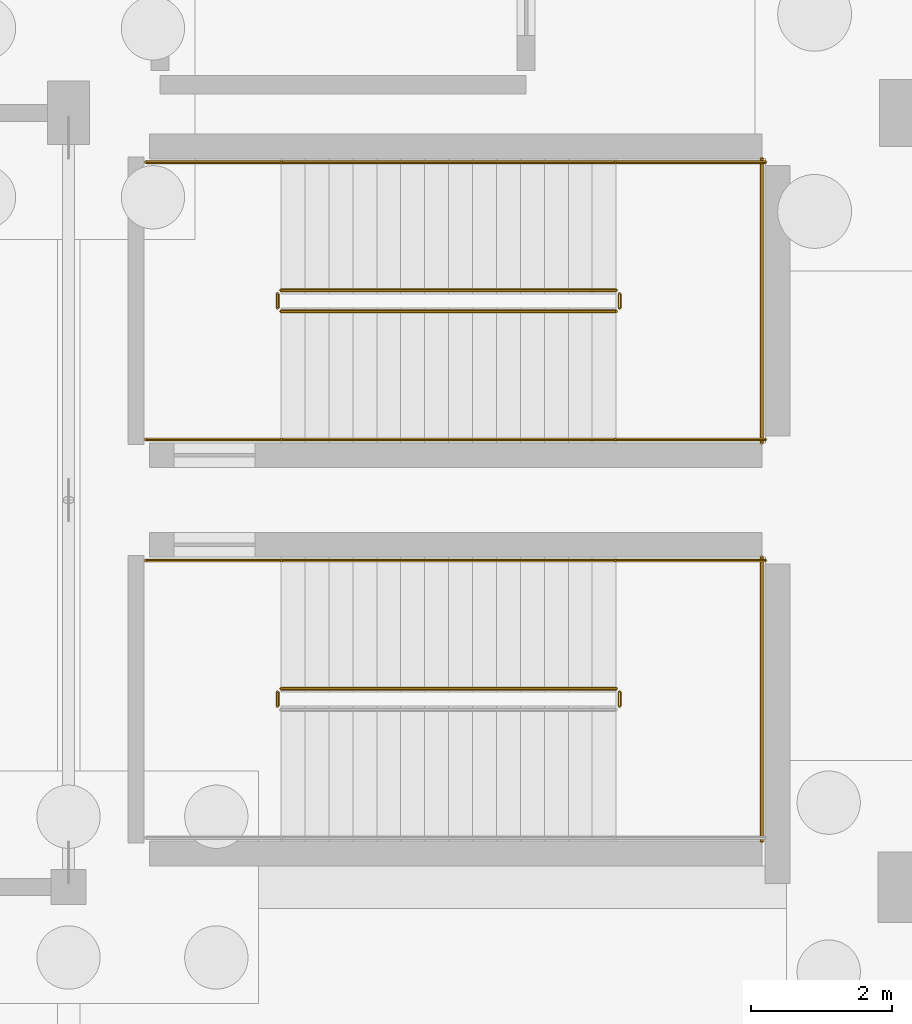
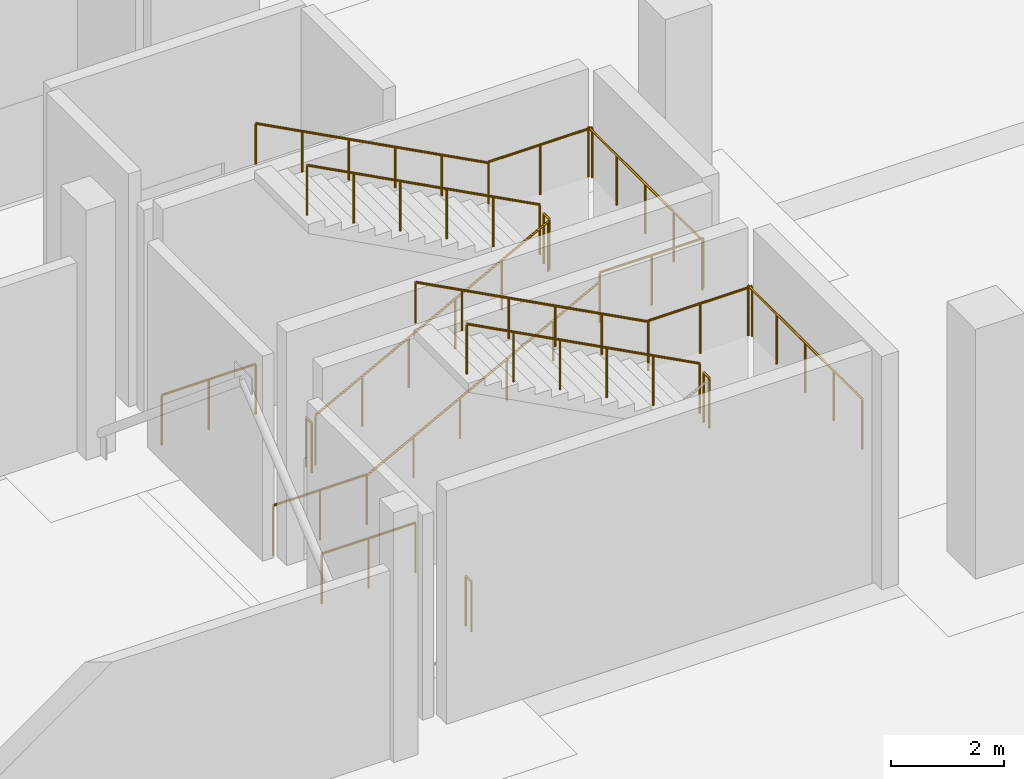
# One storey, part 52 of 60: 18 railings.
"""IFC4 building model written with IfcOpenShell, lengths in metres."""

from ifc_helpers import new_model, si_unit, direction, frame, origin, origin_2d, place, context, subcontext, project, spatial, circle, extrude, material, type_object, element, save


model = new_model("IFC4")

# Units and contexts
model_context = context("Model", 3, precision=1e-05, world=origin(), true_north=direction((0.0, 1.0)))
body_context = subcontext(model_context, "Body", "Model", "MODEL_VIEW")
ifc_project = project(units=[si_unit("LENGTHUNIT", "METRE"), si_unit("AREAUNIT", "SQUARE_METRE"), si_unit("VOLUMEUNIT", "CUBIC_METRE"), si_unit("PLANEANGLEUNIT", "RADIAN"), si_unit("MASSUNIT", "GRAM", prefix="KILO")], contexts=[model_context])

# Site, building, storey
site_placement = place(None, origin())
site = spatial("IfcSite", under=ifc_project, at=site_placement, CompositionType="ELEMENT")
building_placement = place(site_placement, origin())
building = spatial("IfcBuilding", under=site, at=building_placement, Name="Luwafu Chhajja Arena", CompositionType="ELEMENT")
storey_placement = place(building_placement, frame((0.0, 0.0, -5.39990234375)))
storey = spatial("IfcBuildingStorey", under=building, at=storey_placement, Name="B1", CompositionType="ELEMENT", Elevation=-5.39990234375)

# Railings
ifc_material_1 = material(Name="Stainless steel handrail", Category="steel")
railing_type_1 = type_object("IfcRailingType", Name="Stair Pitch Wall Handrail 920", PredefinedType="HANDRAIL", material=ifc_material_1)
railing_1_placement = place(storey_placement, frame((41.780029296875, 81.639892578125, 2.8798828125)))
element("IfcRailing", 1, at=railing_1_placement, inside=storey, type_object=railing_type_1, Name="B1 ST-05 stair handrail 2", PredefinedType="HANDRAIL", context=body_context, shape_type="SweptSolid", body=[
    extrude(circle(Radius=0.02392578125, at=origin_2d()), frame((0.0, 0.0, 0.8759765625), z_axis=(-0.883786813738, 0.0, 0.467889803119), x_axis=(0.0, -1.0, 0.0)), (0.0, 0.0, 1.0), 5.385986328125),
    extrude(circle(Radius=0.02099609375, at=origin_2d()), origin(), (0.0, 0.0, 1.0), 0.851806640625),
    extrude(circle(Radius=0.02099609375, at=origin_2d()), frame((-0.951904296875, 0.0, 0.50390625)), (0.0, 0.0, 1.0), 0.851806640625),
    extrude(circle(Radius=0.02099609375, at=origin_2d()), frame((-1.904052734375, 0.0, 1.008056640625)), (0.0, 0.0, 1.0), 0.851806640625),
    extrude(circle(Radius=0.02099609375, at=origin_2d()), frame((-2.85595703125, 0.0, 1.511962890625)), (0.0, 0.0, 1.0), 0.851806640625),
    extrude(circle(Radius=0.02099609375, at=origin_2d()), frame((-3.80810546875, 0.0, 2.01611328125)), (0.0, 0.0, 1.0), 0.851806640625),
    extrude(circle(Radius=0.02099609375, at=origin_2d()), frame((-4.760009765625, 0.0, 2.52001953125)), (0.0, 0.0, 1.0), 0.851806640625),
])
railing_2_placement = place(storey_placement, frame((37.02001953125, 83.360107421875, 0.179931640625)))
element("IfcRailing", 2, at=railing_2_placement, inside=storey, type_object=railing_type_1, Name="B1 ST-06 stair handrail 1", PredefinedType="HANDRAIL", context=body_context, shape_type="SweptSolid", body=[
    extrude(circle(Radius=0.02392578125, at=origin_2d()), frame((0.0, 0.0, 0.8759765625), z_axis=(0.883786813738, 0.0, 0.467889803119), x_axis=(0.0, 1.0, 0.0)), (0.0, 0.0, 1.0), 5.385986328125),
    extrude(circle(Radius=0.02099609375, at=origin_2d()), origin(), (0.0, 0.0, 1.0), 0.851806640625),
    extrude(circle(Radius=0.02099609375, at=origin_2d()), frame((0.951904296875, 0.0, 0.50390625)), (0.0, 0.0, 1.0), 0.851806640625),
    extrude(circle(Radius=0.02099609375, at=origin_2d()), frame((1.904052734375, 0.0, 1.008056640625)), (0.0, 0.0, 1.0), 0.851806640625),
    extrude(circle(Radius=0.02099609375, at=origin_2d()), frame((2.85595703125, 0.0, 1.511962890625)), (0.0, 0.0, 1.0), 0.851806640625),
    extrude(circle(Radius=0.02099609375, at=origin_2d()), frame((3.80810546875, 0.0, 2.01611328125)), (0.0, 0.0, 1.0), 0.851806640625),
    extrude(circle(Radius=0.02099609375, at=origin_2d()), frame((4.760009765625, 0.0, 2.52001953125)), (0.0, 0.0, 1.0), 0.851806640625),
])
railing_3_placement = place(storey_placement, frame((41.780029296875, 87.300048828125, 2.8798828125)))
element("IfcRailing", 3, at=railing_3_placement, inside=storey, type_object=railing_type_1, Name="B1 ST-06 stair handrail 2", PredefinedType="HANDRAIL", context=body_context, shape_type="SweptSolid", body=[
    extrude(circle(Radius=0.02392578125, at=origin_2d()), frame((0.0, 0.0, 0.8759765625), z_axis=(-0.883786813738, 0.0, 0.467889803119), x_axis=(0.0, -1.0, 0.0)), (0.0, 0.0, 1.0), 5.385986328125),
    extrude(circle(Radius=0.02099609375, at=origin_2d()), origin(), (0.0, 0.0, 1.0), 0.851806640625),
    extrude(circle(Radius=0.02099609375, at=origin_2d()), frame((-0.951904296875, 0.0, 0.50390625)), (0.0, 0.0, 1.0), 0.851806640625),
    extrude(circle(Radius=0.02099609375, at=origin_2d()), frame((-1.904052734375, 0.0, 1.008056640625)), (0.0, 0.0, 1.0), 0.851806640625),
    extrude(circle(Radius=0.02099609375, at=origin_2d()), frame((-2.85595703125, 0.0, 1.511962890625)), (0.0, 0.0, 1.0), 0.851806640625),
    extrude(circle(Radius=0.02099609375, at=origin_2d()), frame((-3.80810546875, 0.0, 2.01611328125)), (0.0, 0.0, 1.0), 0.851806640625),
    extrude(circle(Radius=0.02099609375, at=origin_2d()), frame((-4.760009765625, 0.0, 2.52001953125)), (0.0, 0.0, 1.0), 0.851806640625),
])
ifc_material_2 = material(Name="Stainless steel balustrade", Category="steel")
railing_type_2 = type_object("IfcRailingType", Name="Stair and Terrace Guard Balustrade 1100", PredefinedType="BALUSTRADE", material=ifc_material_2)
railing_4_placement = place(storey_placement, frame((41.830078125, 79.570068359375, 2.699951171875)))
element("IfcRailing", 4, at=railing_4_placement, inside=storey, type_object=railing_type_2, Name="B1 ST-05 stair guard 2", PredefinedType="BALUSTRADE", context=body_context, shape_type="SweptSolid", body=[
    extrude(circle(Radius=0.02392578125, at=origin_2d()), frame((0.0, 0.0, 1.076171875), z_axis=(0.0, 1.0, 0.0), x_axis=(-1.0, 0.0, 0.0)), (0.0, 0.0, 1.0), 0.199951171875),
    extrude(circle(Radius=0.02099609375, at=origin_2d()), origin(), (0.0, 0.0, 1.0), 1.052001953125),
    extrude(circle(Radius=0.02099609375, at=origin_2d()), frame((0.0, 0.199951171875, 0.0)), (0.0, 0.0, 1.0), 1.052001953125),
])
railing_5_placement = place(storey_placement, frame((41.780029296875, 81.639892578125, 2.699951171875)))
element("IfcRailing", 5, at=railing_5_placement, inside=storey, type_object=railing_type_2, Name="B1 ST-05 stair guard 4", PredefinedType="BALUSTRADE", context=body_context, shape_type="SweptSolid", body=[
    extrude(circle(Radius=0.02392578125, at=origin_2d()), frame((0.0, 0.0, 1.076171875), z_axis=(1.0, 0.0, 0.0), x_axis=(0.0, 1.0, 0.0)), (0.0, 0.0, 1.0), 2.119873046875),
    extrude(circle(Radius=0.02099609375, at=origin_2d()), origin(), (0.0, 0.0, 1.0), 1.052001953125),
    extrude(circle(Radius=0.02099609375, at=origin_2d()), frame((1.06005859375, 0.0, 0.0)), (0.0, 0.0, 1.0), 1.052001953125),
    extrude(circle(Radius=0.02099609375, at=origin_2d()), frame((2.119873046875, 0.0, 0.0)), (0.0, 0.0, 1.0), 1.052001953125),
])
railing_6_placement = place(storey_placement, frame((43.85009765625, 77.64990234375, 2.699951171875)))
element("IfcRailing", 6, at=railing_6_placement, inside=storey, type_object=railing_type_2, Name="B1 ST-05 stair guard 5", PredefinedType="BALUSTRADE", context=body_context, shape_type="SweptSolid", body=[
    extrude(circle(Radius=0.02392578125, at=origin_2d()), frame((0.0, 0.0, 1.076171875), z_axis=(0.0, 1.0, 0.0), x_axis=(-1.0, 0.0, 0.0)), (0.0, 0.0, 1.0), 4.0400390625),
    extrude(circle(Radius=0.02099609375, at=origin_2d()), origin(), (0.0, 0.0, 1.0), 1.052001953125),
    extrude(circle(Radius=0.02099609375, at=origin_2d()), frame((0.0, 1.010009765625, 0.0)), (0.0, 0.0, 1.0), 1.052001953125),
    extrude(circle(Radius=0.02099609375, at=origin_2d()), frame((0.0, 2.02001953125, 0.0)), (0.0, 0.0, 1.0), 1.052001953125),
    extrude(circle(Radius=0.02099609375, at=origin_2d()), frame((0.0, 3.030029296875, 0.0)), (0.0, 0.0, 1.0), 1.052001953125),
    extrude(circle(Radius=0.02099609375, at=origin_2d()), frame((0.0, 4.0400390625, 0.0)), (0.0, 0.0, 1.0), 1.052001953125),
])
railing_7_placement = place(storey_placement, frame((41.780029296875, 79.820068359375, 2.8798828125)))
element("IfcRailing", 7, at=railing_7_placement, inside=storey, type_object=railing_type_2, Name="B1 ST-05 stair guard 6", PredefinedType="BALUSTRADE", context=body_context, shape_type="SweptSolid", body=[
    extrude(circle(Radius=0.02392578125, at=origin_2d()), frame((0.0, 0.0, 1.076171875), z_axis=(-0.883786813738, 0.0, 0.467889803119), x_axis=(0.0, -1.0, 0.0)), (0.0, 0.0, 1.0), 5.385986328125),
    extrude(circle(Radius=0.02099609375, at=origin_2d()), origin(), (0.0, 0.0, 1.0), 1.052001953125),
    extrude(circle(Radius=0.02099609375, at=origin_2d()), frame((-0.951904296875, 0.0, 0.50390625)), (0.0, 0.0, 1.0), 1.052001953125),
    extrude(circle(Radius=0.02099609375, at=origin_2d()), frame((-1.904052734375, 0.0, 1.008056640625)), (0.0, 0.0, 1.0), 1.052001953125),
    extrude(circle(Radius=0.02099609375, at=origin_2d()), frame((-2.85595703125, 0.0, 1.511962890625)), (0.0, 0.0, 1.0), 1.052001953125),
    extrude(circle(Radius=0.02099609375, at=origin_2d()), frame((-3.80810546875, 0.0, 2.01611328125)), (0.0, 0.0, 1.0), 1.052001953125),
    extrude(circle(Radius=0.02099609375, at=origin_2d()), frame((-4.760009765625, 0.0, 2.52001953125)), (0.0, 0.0, 1.0), 1.052001953125),
])
railing_8_placement = place(storey_placement, frame((36.969970703125, 79.570068359375, 0.0)))
element("IfcRailing", 8, at=railing_8_placement, inside=storey, type_object=railing_type_2, Name="B1 ST-05 stair guard 7", PredefinedType="BALUSTRADE", context=body_context, shape_type="SweptSolid", body=[
    extrude(circle(Radius=0.02392578125, at=origin_2d()), frame((0.0, 0.0, 1.076171875), z_axis=(0.0, 1.0, 0.0), x_axis=(-1.0, 0.0, 0.0)), (0.0, 0.0, 1.0), 0.199951171875),
    extrude(circle(Radius=0.02099609375, at=origin_2d()), origin(), (0.0, 0.0, 1.0), 1.052001953125),
    extrude(circle(Radius=0.02099609375, at=origin_2d()), frame((0.0, 0.199951171875, 0.0)), (0.0, 0.0, 1.0), 1.052001953125),
])
railing_9_placement = place(storey_placement, frame((35.10009765625, 81.639892578125, 0.0)))
element("IfcRailing", 9, at=railing_9_placement, inside=storey, type_object=railing_type_2, Name="B1 ST-05 stair guard 9", PredefinedType="BALUSTRADE", context=body_context, shape_type="SweptSolid", body=[
    extrude(circle(Radius=0.02392578125, at=origin_2d()), frame((0.0, 0.0, 1.076171875), z_axis=(1.0, 0.0, 0.0), x_axis=(0.0, 1.0, 0.0)), (0.0, 0.0, 1.0), 1.919921875),
    extrude(circle(Radius=0.02099609375, at=origin_2d()), origin(), (0.0, 0.0, 1.0), 1.052001953125),
    extrude(circle(Radius=0.02099609375, at=origin_2d()), frame((0.9599609375, 0.0, 0.0)), (0.0, 0.0, 1.0), 1.052001953125),
    extrude(circle(Radius=0.02099609375, at=origin_2d()), frame((1.919921875, 0.0, 0.0)), (0.0, 0.0, 1.0), 1.052001953125),
])
railing_10_placement = place(storey_placement, frame((37.02001953125, 85.179931640625, 0.179931640625)))
element("IfcRailing", 10, at=railing_10_placement, inside=storey, type_object=railing_type_2, Name="B1 ST-06 stair guard 1", PredefinedType="BALUSTRADE", context=body_context, shape_type="SweptSolid", body=[
    extrude(circle(Radius=0.02392578125, at=origin_2d()), frame((0.0, 0.0, 1.076171875), z_axis=(0.883786813738, 0.0, 0.467889803119), x_axis=(0.0, 1.0, 0.0)), (0.0, 0.0, 1.0), 5.385986328125),
    extrude(circle(Radius=0.02099609375, at=origin_2d()), origin(), (0.0, 0.0, 1.0), 1.052001953125),
    extrude(circle(Radius=0.02099609375, at=origin_2d()), frame((0.951904296875, 0.0, 0.50390625)), (0.0, 0.0, 1.0), 1.052001953125),
    extrude(circle(Radius=0.02099609375, at=origin_2d()), frame((1.904052734375, 0.0, 1.008056640625)), (0.0, 0.0, 1.0), 1.052001953125),
    extrude(circle(Radius=0.02099609375, at=origin_2d()), frame((2.85595703125, 0.0, 1.511962890625)), (0.0, 0.0, 1.0), 1.052001953125),
    extrude(circle(Radius=0.02099609375, at=origin_2d()), frame((3.80810546875, 0.0, 2.01611328125)), (0.0, 0.0, 1.0), 1.052001953125),
    extrude(circle(Radius=0.02099609375, at=origin_2d()), frame((4.760009765625, 0.0, 2.52001953125)), (0.0, 0.0, 1.0), 1.052001953125),
])
railing_11_placement = place(storey_placement, frame((41.830078125, 85.22998046875, 2.699951171875)))
element("IfcRailing", 11, at=railing_11_placement, inside=storey, type_object=railing_type_2, Name="B1 ST-06 stair guard 2", PredefinedType="BALUSTRADE", context=body_context, shape_type="SweptSolid", body=[
    extrude(circle(Radius=0.02392578125, at=origin_2d()), frame((0.0, 0.0, 1.076171875), z_axis=(0.0, 1.0, 0.0), x_axis=(-1.0, 0.0, 0.0)), (0.0, 0.0, 1.0), 0.199951171875),
    extrude(circle(Radius=0.02099609375, at=origin_2d()), origin(), (0.0, 0.0, 1.0), 1.052001953125),
    extrude(circle(Radius=0.02099609375, at=origin_2d()), frame((0.0, 0.199951171875, 0.0)), (0.0, 0.0, 1.0), 1.052001953125),
])
for number, where, name in (
    (12, (41.780029296875, 83.360107421875, 2.699951171875), "B1 ST-06 stair guard 3"),
    (13, (41.780029296875, 87.300048828125, 2.699951171875), "B1 ST-06 stair guard 4"),
):
    element("IfcRailing", number, at=place(storey_placement, frame(where)), inside=storey, type_object=railing_type_2, Name=name, PredefinedType="BALUSTRADE", context=body_context, shape_type="SweptSolid", body=[
        extrude(circle(Radius=0.02392578125, at=origin_2d()), frame((0.0, 0.0, 1.076171875), z_axis=(1.0, 0.0, 0.0), x_axis=(0.0, 1.0, 0.0)), (0.0, 0.0, 1.0), 2.119873046875),
        extrude(circle(Radius=0.02099609375, at=origin_2d()), origin(), (0.0, 0.0, 1.0), 1.052001953125),
        extrude(circle(Radius=0.02099609375, at=origin_2d()), frame((1.06005859375, 0.0, 0.0)), (0.0, 0.0, 1.0), 1.052001953125),
        extrude(circle(Radius=0.02099609375, at=origin_2d()), frame((2.119873046875, 0.0, 0.0)), (0.0, 0.0, 1.0), 1.052001953125),
    ])
railing_12_placement = place(storey_placement, frame((43.85009765625, 83.31005859375, 2.699951171875)))
element("IfcRailing", 14, at=railing_12_placement, inside=storey, type_object=railing_type_2, Name="B1 ST-06 stair guard 5", PredefinedType="BALUSTRADE", context=body_context, shape_type="SweptSolid", body=[
    extrude(circle(Radius=0.02392578125, at=origin_2d()), frame((0.0, 0.0, 1.076171875), z_axis=(0.0, 1.0, 0.0), x_axis=(-1.0, 0.0, 0.0)), (0.0, 0.0, 1.0), 4.0400390625),
    extrude(circle(Radius=0.02099609375, at=origin_2d()), origin(), (0.0, 0.0, 1.0), 1.052001953125),
    extrude(circle(Radius=0.02099609375, at=origin_2d()), frame((0.0, 1.010009765625, 0.0)), (0.0, 0.0, 1.0), 1.052001953125),
    extrude(circle(Radius=0.02099609375, at=origin_2d()), frame((0.0, 2.02001953125, 0.0)), (0.0, 0.0, 1.0), 1.052001953125),
    extrude(circle(Radius=0.02099609375, at=origin_2d()), frame((0.0, 3.030029296875, 0.0)), (0.0, 0.0, 1.0), 1.052001953125),
    extrude(circle(Radius=0.02099609375, at=origin_2d()), frame((0.0, 4.0400390625, 0.0)), (0.0, 0.0, 1.0), 1.052001953125),
])
railing_13_placement = place(storey_placement, frame((41.780029296875, 85.47998046875, 2.8798828125)))
element("IfcRailing", 15, at=railing_13_placement, inside=storey, type_object=railing_type_2, Name="B1 ST-06 stair guard 6", PredefinedType="BALUSTRADE", context=body_context, shape_type="SweptSolid", body=[
    extrude(circle(Radius=0.02392578125, at=origin_2d()), frame((0.0, 0.0, 1.076171875), z_axis=(-0.883786813738, 0.0, 0.467889803119), x_axis=(0.0, -1.0, 0.0)), (0.0, 0.0, 1.0), 5.385986328125),
    extrude(circle(Radius=0.02099609375, at=origin_2d()), origin(), (0.0, 0.0, 1.0), 1.052001953125),
    extrude(circle(Radius=0.02099609375, at=origin_2d()), frame((-0.951904296875, 0.0, 0.50390625)), (0.0, 0.0, 1.0), 1.052001953125),
    extrude(circle(Radius=0.02099609375, at=origin_2d()), frame((-1.904052734375, 0.0, 1.008056640625)), (0.0, 0.0, 1.0), 1.052001953125),
    extrude(circle(Radius=0.02099609375, at=origin_2d()), frame((-2.85595703125, 0.0, 1.511962890625)), (0.0, 0.0, 1.0), 1.052001953125),
    extrude(circle(Radius=0.02099609375, at=origin_2d()), frame((-3.80810546875, 0.0, 2.01611328125)), (0.0, 0.0, 1.0), 1.052001953125),
    extrude(circle(Radius=0.02099609375, at=origin_2d()), frame((-4.760009765625, 0.0, 2.52001953125)), (0.0, 0.0, 1.0), 1.052001953125),
])
railing_14_placement = place(storey_placement, frame((36.969970703125, 85.22998046875, 0.0)))
element("IfcRailing", 16, at=railing_14_placement, inside=storey, type_object=railing_type_2, Name="B1 ST-06 stair guard 7", PredefinedType="BALUSTRADE", context=body_context, shape_type="SweptSolid", body=[
    extrude(circle(Radius=0.02392578125, at=origin_2d()), frame((0.0, 0.0, 1.076171875), z_axis=(0.0, 1.0, 0.0), x_axis=(-1.0, 0.0, 0.0)), (0.0, 0.0, 1.0), 0.199951171875),
    extrude(circle(Radius=0.02099609375, at=origin_2d()), origin(), (0.0, 0.0, 1.0), 1.052001953125),
    extrude(circle(Radius=0.02099609375, at=origin_2d()), frame((0.0, 0.199951171875, 0.0)), (0.0, 0.0, 1.0), 1.052001953125),
])
for number, where, name in (
    (17, (35.10009765625, 83.360107421875, 0.0), "B1 ST-06 stair guard 8"),
    (18, (35.10009765625, 87.300048828125, 0.0), "B1 ST-06 stair guard 9"),
):
    element("IfcRailing", number, at=place(storey_placement, frame(where)), inside=storey, type_object=railing_type_2, Name=name, PredefinedType="BALUSTRADE", context=body_context, shape_type="SweptSolid", body=[
        extrude(circle(Radius=0.02392578125, at=origin_2d()), frame((0.0, 0.0, 1.076171875), z_axis=(1.0, 0.0, 0.0), x_axis=(0.0, 1.0, 0.0)), (0.0, 0.0, 1.0), 1.919921875),
        extrude(circle(Radius=0.02099609375, at=origin_2d()), origin(), (0.0, 0.0, 1.0), 1.052001953125),
        extrude(circle(Radius=0.02099609375, at=origin_2d()), frame((0.9599609375, 0.0, 0.0)), (0.0, 0.0, 1.0), 1.052001953125),
        extrude(circle(Radius=0.02099609375, at=origin_2d()), frame((1.919921875, 0.0, 0.0)), (0.0, 0.0, 1.0), 1.052001953125),
    ])

save(model, "model.ifc")
